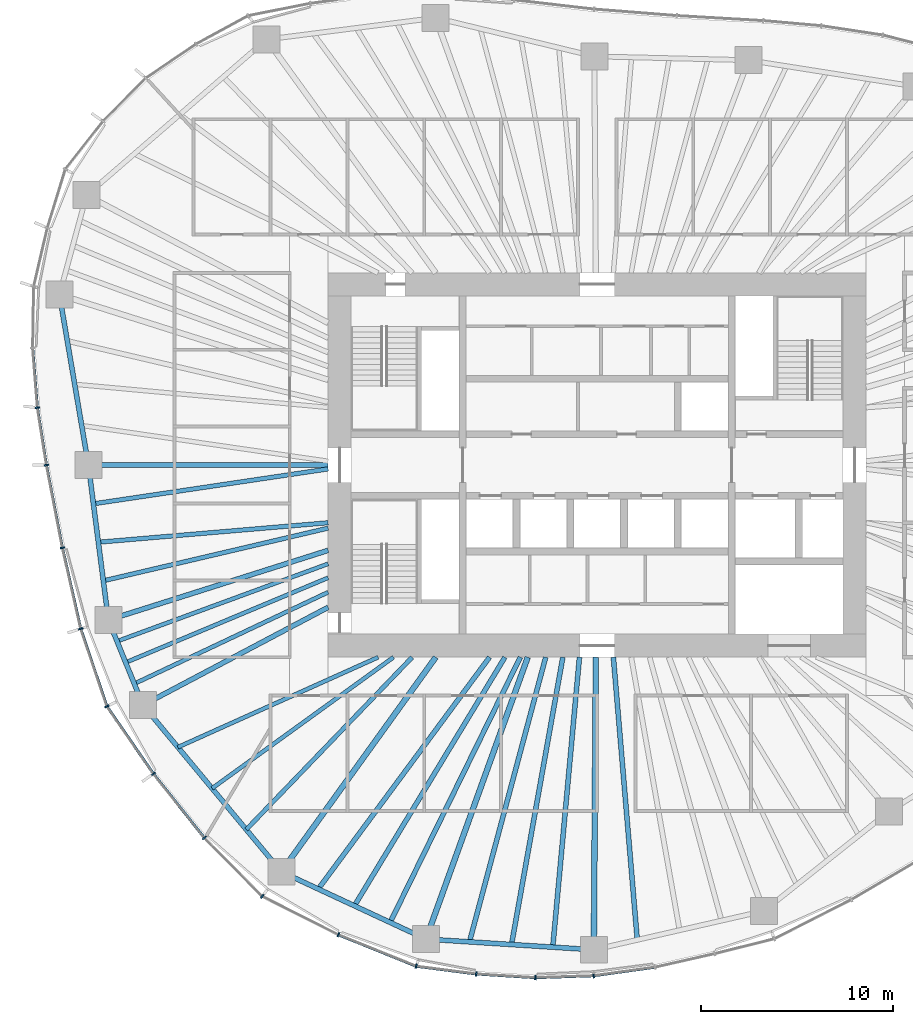
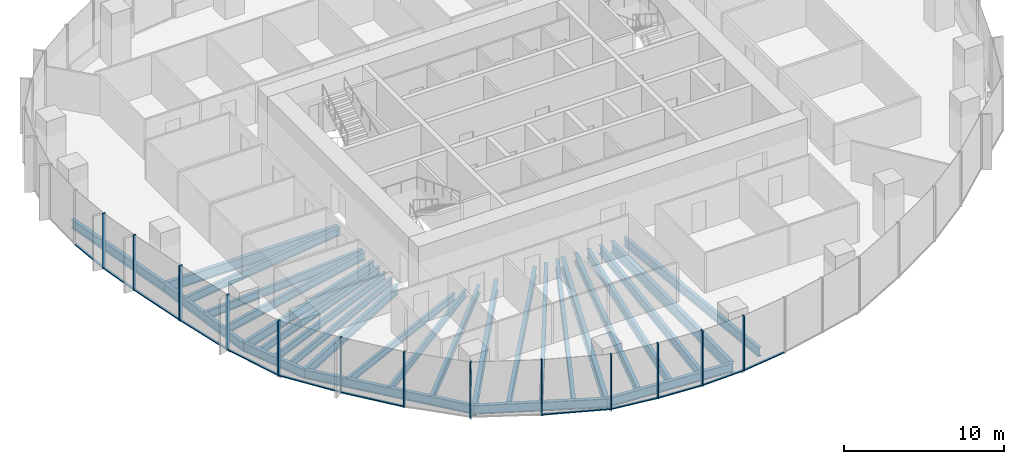
# One storey, part 2 of 18: 28 beams, 25 members, 7 elements without a shape of their own.
"""IFC4 building model written with IfcOpenShell, lengths in metres."""

from ifc_helpers import new_model, si_unit, direction, frame, origin, origin_2d, place, context, subcontext, project, spatial, rectangle, i_section, extrude, material, material_profile, profile_set, type_object, element, aggregate, save


model = new_model("IFC4")

# Units and contexts
model_context = context("Model", 3, precision=1e-05, world=origin(), true_north=direction((0.0, 1.0)))
body_context = subcontext(model_context, "Body", "Model", "MODEL_VIEW")
ifc_project = project(units=[si_unit("LENGTHUNIT", "METRE"), si_unit("AREAUNIT", "SQUARE_METRE"), si_unit("VOLUMEUNIT", "CUBIC_METRE"), si_unit("PLANEANGLEUNIT", "RADIAN"), si_unit("MASSUNIT", "GRAM", prefix="KILO")], contexts=[model_context])

# Site, building, storey
site_placement = place(None, origin())
site = spatial("IfcSite", under=ifc_project, at=site_placement, CompositionType="ELEMENT")
building_placement = place(site_placement, origin())
building = spatial("IfcBuilding", under=site, at=building_placement, Name="Ghaith Harvest Tower", CompositionType="ELEMENT")
storey_placement = place(building_placement, frame((0.0, 0.0, 172.199951171875)))
storey = spatial("IfcBuildingStorey", under=building, at=storey_placement, Name="L37", CompositionType="ELEMENT", Elevation=172.199951171875)

# Curtain wall, member
ifc_material_1 = material(Name="Black anodised aluminium and fritted glass", Category="aluminium")
curtain_wall_type = type_object("IfcCurtainWallType", Name="CW-L CURTAIN WALL", PredefinedType="NOTDEFINED", material=ifc_material_1)
curtain_wall_1_placement = place(storey_placement, origin())
curtain_wall_1 = element("IfcCurtainWall", 1, at=curtain_wall_1_placement, inside=storey, type_object=curtain_wall_type, Name="Curtain wall CW-L bay 10 L37", PredefinedType="NOTDEFINED")
ifc_material_2 = material(Name="Aluminium, black anodised", Category="aluminium")
ifc_material_profile_1 = material_profile(ifc_material_2, rectangle(XDim=0.080078125, YDim=0.239990234375, at=origin_2d()), Name="CW-L MULLION 80x240")
ifc_profile_set_1 = profile_set([ifc_material_profile_1], Name="Aluminium, black anodised")
member_type_1 = type_object("IfcMemberType", Name="CW-L MULLION 80x240", PredefinedType="MULLION", material=ifc_profile_set_1)
member_1_placement = place(storey_placement, frame((-29.131103515625, 2.990478515625, 0.0), z_axis=(0.0, 0.0, 1.0), x_axis=(0.116763791346, -0.993159713757, 0.0)))
member_1 = element("IfcMember", 2, at=member_1_placement, type_object=member_type_1, Name="CW-L mullion 3 bay 10 L37", PredefinedType="MULLION", context=body_context, shape_type="SweptSolid", body=[
    extrude(rectangle(XDim=0.080078125, YDim=0.239990234375, at=origin_2d()), origin(), (0.0, 0.0, 1.0), 4.199951171875),
])

# Curtain wall, members
curtain_wall_2_placement = place(storey_placement, origin())
curtain_wall_2 = element("IfcCurtainWall", 3, at=curtain_wall_2_placement, inside=storey, type_object=curtain_wall_type, Name="Curtain wall CW-L bay 11 L37", PredefinedType="NOTDEFINED")
member_2_placement = place(storey_placement, frame((-28.6611328125, 0.0, 0.0), z_axis=(0.0, 0.0, 1.0), x_axis=(0.175827209372, -0.984421044292, 0.0)))
member_2 = element("IfcMember", 4, at=member_2_placement, type_object=member_type_1, Name="CW-L mullion 1 bay 11 L37", PredefinedType="MULLION", context=body_context, shape_type="SweptSolid", body=[
    extrude(rectangle(XDim=0.080078125, YDim=0.239990234375, at=origin_2d()), origin(), (0.0, 0.0, 1.0), 4.199951171875),
])
member_3_placement = place(storey_placement, frame((-27.828125, -4.30419921875, 0.0), z_axis=(0.0, 0.0, 1.0), x_axis=(0.205176300018, -0.978725030798, 0.0)))
member_3 = element("IfcMember", 5, at=member_3_placement, type_object=member_type_1, Name="CW-L mullion 2 bay 11 L37", PredefinedType="MULLION", context=body_context, shape_type="SweptSolid", body=[
    extrude(rectangle(XDim=0.080078125, YDim=0.239990234375, at=origin_2d()), origin(), (0.0, 0.0, 1.0), 4.199951171875),
])

curtain_wall_3_placement = place(storey_placement, origin())
curtain_wall_3 = element("IfcCurtainWall", 6, at=curtain_wall_3_placement, inside=storey, type_object=curtain_wall_type, Name="Curtain wall CW-L bay 12 L37", PredefinedType="NOTDEFINED")
member_4_placement = place(storey_placement, frame((-26.875732421875, -8.517333984375, 0.0), z_axis=(0.0, 0.0, 1.0), x_axis=(0.270018818005, -0.962855045125, 0.0)))
member_4 = element("IfcMember", 7, at=member_4_placement, type_object=member_type_1, Name="CW-L mullion 1 bay 12 L37", PredefinedType="MULLION", context=body_context, shape_type="SweptSolid", body=[
    extrude(rectangle(XDim=0.080078125, YDim=0.239990234375, at=origin_2d()), origin(), (0.0, 0.0, 1.0), 4.199951171875),
])
member_5_placement = place(storey_placement, frame((-25.513427734375, -12.55810546875, 0.0), z_axis=(0.0, 0.0, 1.0), x_axis=(0.448267068681, -0.893899678452, 0.0)))
member_5 = element("IfcMember", 8, at=member_5_placement, type_object=member_type_1, Name="CW-L mullion 2 bay 12 L37", PredefinedType="MULLION", context=body_context, shape_type="SweptSolid", body=[
    extrude(rectangle(XDim=0.080078125, YDim=0.239990234375, at=origin_2d()), origin(), (0.0, 0.0, 1.0), 4.199951171875),
])

curtain_wall_4_placement = place(storey_placement, origin())
curtain_wall_4 = element("IfcCurtainWall", 9, at=curtain_wall_4_placement, inside=storey, type_object=curtain_wall_type, Name="Curtain wall CW-L bay 13 L37", PredefinedType="NOTDEFINED")
member_6_placement = place(storey_placement, frame((-23.090087890625, -16.066162109375, 0.0), z_axis=(0.0, 0.0, 1.0), x_axis=(0.595740202191, -0.803177198066, 0.0)))
member_6 = element("IfcMember", 10, at=member_6_placement, type_object=member_type_1, Name="CW-L mullion 1 bay 13 L37", PredefinedType="MULLION", context=body_context, shape_type="SweptSolid", body=[
    extrude(rectangle(XDim=0.080078125, YDim=0.239990234375, at=origin_2d()), origin(), (0.0, 0.0, 1.0), 4.199951171875),
])
member_7_placement = place(storey_placement, frame((-20.441162109375, -19.396728515625, 0.0), z_axis=(0.0, 0.0, 1.0), x_axis=(0.663764675537, -0.747941478666, 0.0)))
member_7 = element("IfcMember", 11, at=member_7_placement, type_object=member_type_1, Name="CW-L mullion 2 bay 13 L37", PredefinedType="MULLION", context=body_context, shape_type="SweptSolid", body=[
    extrude(rectangle(XDim=0.080078125, YDim=0.239990234375, at=origin_2d()), origin(), (0.0, 0.0, 1.0), 4.199951171875),
])

curtain_wall_5_placement = place(storey_placement, origin())
curtain_wall_5 = element("IfcCurtainWall", 12, at=curtain_wall_5_placement, inside=storey, type_object=curtain_wall_type, Name="Curtain wall CW-L bay 14 L37", PredefinedType="NOTDEFINED")
member_8_placement = place(storey_placement, frame((-17.430419921875, -22.443603515625, 0.0), z_axis=(0.0, 0.0, 1.0), x_axis=(0.810339399222, -0.585960799089, 0.0)))
member_8 = element("IfcMember", 13, at=member_8_placement, type_object=member_type_1, Name="CW-L mullion 1 bay 14 L37", PredefinedType="MULLION", context=body_context, shape_type="SweptSolid", body=[
    extrude(rectangle(XDim=0.080078125, YDim=0.239990234375, at=origin_2d()), origin(), (0.0, 0.0, 1.0), 4.199951171875),
])
member_9_placement = place(storey_placement, frame((-13.463134765625, -24.4423828125, 0.0), z_axis=(0.0, 0.0, 1.0), x_axis=(0.910648017946, -0.413182995066, 0.0)))
member_9 = element("IfcMember", 14, at=member_9_placement, type_object=member_type_1, Name="CW-L mullion 2 bay 14 L37", PredefinedType="MULLION", context=body_context, shape_type="SweptSolid", body=[
    extrude(rectangle(XDim=0.080078125, YDim=0.239990234375, at=origin_2d()), origin(), (0.0, 0.0, 1.0), 4.199951171875),
])

curtain_wall_6_placement = place(storey_placement, origin())
curtain_wall_6 = element("IfcCurtainWall", 15, at=curtain_wall_6_placement, inside=storey, type_object=curtain_wall_type, Name="Curtain wall CW-L bay 15 L37", PredefinedType="NOTDEFINED")
member_10_placement = place(storey_placement, frame((-9.4189453125, -26.07861328125, 0.0), z_axis=(0.0, 0.0, 1.0), x_axis=(0.961788606004, -0.273793128768, 0.0)))
member_10 = element("IfcMember", 16, at=member_10_placement, type_object=member_type_1, Name="CW-L mullion 1 bay 15 L37", PredefinedType="MULLION", context=body_context, shape_type="SweptSolid", body=[
    extrude(rectangle(XDim=0.080078125, YDim=0.239990234375, at=origin_2d()), origin(), (0.0, 0.0, 1.0), 4.199951171875),
])
member_11_placement = place(storey_placement, frame((-6.29443359375, -26.483154296875, 0.0), z_axis=(0.0, 0.0, 1.0), x_axis=(0.995389243171, -0.095917957546, 0.0)))
member_11 = element("IfcMember", 17, at=member_11_placement, type_object=member_type_1, Name="CW-L mullion 2 bay 15 L37", PredefinedType="MULLION", context=body_context, shape_type="SweptSolid", body=[
    extrude(rectangle(XDim=0.080078125, YDim=0.239990234375, at=origin_2d()), origin(), (0.0, 0.0, 1.0), 4.199951171875),
])
member_12_placement = place(storey_placement, frame((-3.21923828125, -26.676025390625, 0.0), z_axis=(0.0, 0.0, 1.0), x_axis=(0.999890531495, -0.014796115241, 0.0)))
member_12 = element("IfcMember", 18, at=member_12_placement, type_object=member_type_1, Name="CW-L mullion 3 bay 15 L37", PredefinedType="MULLION", context=body_context, shape_type="SweptSolid", body=[
    extrude(rectangle(XDim=0.080078125, YDim=0.239990234375, at=origin_2d()), origin(), (0.0, 0.0, 1.0), 4.199951171875),
])

# Curtain wall, member
curtain_wall_7_placement = place(storey_placement, origin())
curtain_wall_7 = element("IfcCurtainWall", 19, at=curtain_wall_7_placement, inside=storey, type_object=curtain_wall_type, Name="Curtain wall CW-L bay 16 L37", PredefinedType="NOTDEFINED")
member_13_placement = place(storey_placement, frame((-0.181884765625, -26.57373046875, 0.0), z_axis=(0.0, 0.0, 1.0), x_axis=(0.996169227662, 0.087446382772, 0.0)))
member_13 = element("IfcMember", 20, at=member_13_placement, type_object=member_type_1, Name="CW-L mullion 1 bay 16 L37", PredefinedType="MULLION", context=body_context, shape_type="SweptSolid", body=[
    extrude(rectangle(XDim=0.080078125, YDim=0.239990234375, at=origin_2d()), origin(), (0.0, 0.0, 1.0), 4.199951171875),
])

# Member
ifc_material_3 = material(Name="Aluminium, black anodised", Category="aluminium")
ifc_material_profile_2 = material_profile(ifc_material_3, rectangle(XDim=0.14990234375, YDim=0.080078125, at=origin_2d()), Name="CW-L TRANSOM 150x80")
ifc_profile_set_2 = profile_set([ifc_material_profile_2], Name="Aluminium, black anodised")
member_type_2 = type_object("IfcMemberType", Name="CW-L TRANSOM 150x80", PredefinedType="USERDEFINED", material=ifc_profile_set_2)
member_14_placement = place(storey_placement, frame((-29.374755859375, 6.05615234375, 0.0400390625), z_axis=(0.079230491279, -0.996856323274, 0.0), x_axis=(0.996856323274, 0.079230491279, 0.0)))
member_14 = element("IfcMember", 21, at=member_14_placement, type_object=member_type_2, Name="CW-L transom 2 bay 10 L37", ObjectType="TRANSOM", PredefinedType="USERDEFINED", context=body_context, shape_type="SweptSolid", body=[
    extrude(rectangle(XDim=0.14990234375, YDim=0.080078125, at=origin_2d()), origin(), (0.0, 0.0, 1.0), 3.03515625),
])

member_15_placement = place(storey_placement, frame((-29.124755859375, 2.951171875, 0.0400390625), z_axis=(0.155150065502, -0.987890913601, 0.0), x_axis=(0.987890913601, 0.155150065502, 0.0)))
member_15 = element("IfcMember", 22, at=member_15_placement, type_object=member_type_2, Name="CW-L transom 3 bay 10 L37", ObjectType="TRANSOM", PredefinedType="USERDEFINED", context=body_context, shape_type="SweptSolid", body=[
    extrude(rectangle(XDim=0.14990234375, YDim=0.080078125, at=origin_2d()), origin(), (0.0, 0.0, 1.0), 2.947265625),
])

aggregate(curtain_wall_1, [member_14, member_1, member_15])

member_16_placement = place(storey_placement, frame((-28.653564453125, -0.039306640625, 0.0400390625), z_axis=(0.190025434036, -0.981779167848, 0.0), x_axis=(0.981779167848, 0.190025434036, 0.0)))
member_16 = element("IfcMember", 23, at=member_16_placement, type_object=member_type_2, Name="CW-L transom 1 bay 11 L37", ObjectType="TRANSOM", PredefinedType="USERDEFINED", context=body_context, shape_type="SweptSolid", body=[
    extrude(rectangle(XDim=0.14990234375, YDim=0.080078125, at=origin_2d()), origin(), (0.0, 0.0, 1.0), 4.303955078125),
])

member_17_placement = place(storey_placement, frame((-27.8193359375, -4.34326171875, 0.0400390625), z_axis=(0.220508326041, -0.975385092231, 0.0), x_axis=(0.975385092231, 0.220508326041, 0.0)))
member_17 = element("IfcMember", 24, at=member_17_placement, type_object=member_type_2, Name="CW-L transom 2 bay 11 L37", ObjectType="TRANSOM", PredefinedType="USERDEFINED", context=body_context, shape_type="SweptSolid", body=[
    extrude(rectangle(XDim=0.14990234375, YDim=0.080078125, at=origin_2d()), origin(), (0.0, 0.0, 1.0), 4.2392578125),
])

aggregate(curtain_wall_2, [member_2, member_16, member_3, member_17])

member_18_placement = place(storey_placement, frame((-26.863037109375, -8.55517578125, 0.0400390625), z_axis=(0.319499057133, -0.947586593664, 0.0), x_axis=(0.947586593664, 0.319499057133, 0.0)))
member_18 = element("IfcMember", 25, at=member_18_placement, type_object=member_type_2, Name="CW-L transom 1 bay 12 L37", ObjectType="TRANSOM", PredefinedType="USERDEFINED", context=body_context, shape_type="SweptSolid", body=[
    extrude(rectangle(XDim=0.14990234375, YDim=0.080078125, at=origin_2d()), origin(), (0.0, 0.0, 1.0), 4.184326171875),
])

member_19_placement = place(storey_placement, frame((-25.49072265625, -12.591064453125, 0.0400390625), z_axis=(0.568360052499, -0.822779952796, 0.0), x_axis=(0.822779952796, 0.568360052499, 0.0)))
member_19 = element("IfcMember", 26, at=member_19_placement, type_object=member_type_2, Name="CW-L transom 2 bay 12 L37", ObjectType="TRANSOM", PredefinedType="USERDEFINED", context=body_context, shape_type="SweptSolid", body=[
    extrude(rectangle(XDim=0.14990234375, YDim=0.080078125, at=origin_2d()), origin(), (0.0, 0.0, 1.0), 4.183837890625),
])

aggregate(curtain_wall_3, [member_4, member_18, member_5, member_19])

member_20_placement = place(storey_placement, frame((-23.065185546875, -16.09765625, 0.0400390625), z_axis=(0.622510542814, -0.782611413209, 0.0), x_axis=(0.782611413209, 0.622510542814, 0.0)))
member_20 = element("IfcMember", 27, at=member_20_placement, type_object=member_type_2, Name="CW-L transom 1 bay 13 L37", ObjectType="TRANSOM", PredefinedType="USERDEFINED", context=body_context, shape_type="SweptSolid", body=[
    extrude(rectangle(XDim=0.14990234375, YDim=0.080078125, at=origin_2d()), origin(), (0.0, 0.0, 1.0), 4.17529296875),
])

aggregate(curtain_wall_4, [member_6, member_20, member_7])

member_21_placement = place(storey_placement, frame((-13.426025390625, -24.45751953125, 0.0400390625), z_axis=(0.92700297754, -0.375053968959, 0.0), x_axis=(0.375053968959, 0.92700297754, 0.0)))
member_21 = element("IfcMember", 28, at=member_21_placement, type_object=member_type_2, Name="CW-L transom 2 bay 14 L37", ObjectType="TRANSOM", PredefinedType="USERDEFINED", context=body_context, shape_type="SweptSolid", body=[
    extrude(rectangle(XDim=0.14990234375, YDim=0.080078125, at=origin_2d()), origin(), (0.0, 0.0, 1.0), 4.282470703125),
])

aggregate(curtain_wall_5, [member_8, member_9, member_21])

member_22_placement = place(storey_placement, frame((-9.37939453125, -26.083740234375, 0.0400390625), z_axis=(0.991722765635, -0.128397648429, 0.0), x_axis=(0.128397648429, 0.991722765635, 0.0)))
member_22 = element("IfcMember", 29, at=member_22_placement, type_object=member_type_2, Name="CW-L transom 1 bay 15 L37", ObjectType="TRANSOM", PredefinedType="USERDEFINED", context=body_context, shape_type="SweptSolid", body=[
    extrude(rectangle(XDim=0.14990234375, YDim=0.080078125, at=origin_2d()), origin(), (0.0, 0.0, 1.0), 3.07080078125),
])

member_23_placement = place(storey_placement, frame((-6.25439453125, -26.485595703125, 0.0400390625), z_axis=(0.998036402434, -0.062636566132, 0.0), x_axis=(0.062636566132, 0.998036402434, 0.0)))
member_23 = element("IfcMember", 30, at=member_23_placement, type_object=member_type_2, Name="CW-L transom 2 bay 15 L37", ObjectType="TRANSOM", PredefinedType="USERDEFINED", context=body_context, shape_type="SweptSolid", body=[
    extrude(rectangle(XDim=0.14990234375, YDim=0.080078125, at=origin_2d()), origin(), (0.0, 0.0, 1.0), 3.001220703125),
])

member_24_placement = place(storey_placement, frame((-3.17919921875, -26.6748046875, 0.0400390625), z_axis=(0.999430436664, 0.033746144522, 0.0), x_axis=(-0.033746144522, 0.999430436664, 0.0)))
member_24 = element("IfcMember", 31, at=member_24_placement, type_object=member_type_2, Name="CW-L transom 3 bay 15 L37", ObjectType="TRANSOM", PredefinedType="USERDEFINED", context=body_context, shape_type="SweptSolid", body=[
    extrude(rectangle(XDim=0.14990234375, YDim=0.080078125, at=origin_2d()), origin(), (0.0, 0.0, 1.0), 2.958984375),
])

aggregate(curtain_wall_6, [member_10, member_22, member_11, member_23, member_12, member_24])

member_25_placement = place(storey_placement, frame((-0.142333984375, -26.568115234375, 0.0400390625), z_axis=(0.990446640965, 0.137896524254, 0.0), x_axis=(-0.137896524254, 0.990446640965, 0.0)))
member_25 = element("IfcMember", 32, at=member_25_placement, type_object=member_type_2, Name="CW-L transom 1 bay 16 L37", ObjectType="TRANSOM", PredefinedType="USERDEFINED", context=body_context, shape_type="SweptSolid", body=[
    extrude(rectangle(XDim=0.14990234375, YDim=0.080078125, at=origin_2d()), origin(), (0.0, 0.0, 1.0), 3.142578125),
])

aggregate(curtain_wall_7, [member_13, member_25])

# Beams
ifc_material_4 = material(Name="Steel ASTM A992 Grade 50", Category="steel")
ifc_material_profile_3 = material_profile(ifc_material_4, i_section(OverallWidth=0.25390625, OverallDepth=0.68408203125, WebThickness=0.012451171875, FlangeThickness=0.018798828125, at=origin_2d()), Name="W690X140")
ifc_profile_set_3 = profile_set([ifc_material_profile_3], Name="Steel ASTM A992 Grade 50")
beam_type_1 = type_object("IfcBeamType", Name="E690-140 W690X140", PredefinedType="SPANDREL", material=ifc_profile_set_3)
beam_1_placement = place(storey_placement, frame((-27.98291015625, 8.867919921875, -0.511962890625), z_axis=(0.167624246844, -0.985850958244, 0.0), x_axis=(0.985850958244, 0.167624246844, 0.0)))
element("IfcBeam", 33, at=beam_1_placement, inside=storey, type_object=beam_type_1, Name="Edge beam E10 L37", PredefinedType="SPANDREL", context=body_context, shape_type="SweptSolid", body=[
    extrude(i_section(OverallWidth=0.25390625, OverallDepth=0.68408203125, WebThickness=0.012451171875, FlangeThickness=0.018798828125, at=origin_2d()), origin(), (0.0, 0.0, 1.0), 8.9951171875),
])
beam_2_placement = place(storey_placement, frame((-26.47509765625, 0.0, -0.511962890625), z_axis=(0.127841715048, -0.991794583517, 0.0), x_axis=(0.991794583517, 0.127841715048, 0.0)))
element("IfcBeam", 34, at=beam_2_placement, inside=storey, type_object=beam_type_1, Name="Edge beam E11 L37", PredefinedType="SPANDREL", context=body_context, shape_type="SweptSolid", body=[
    extrude(i_section(OverallWidth=0.25390625, OverallDepth=0.68408203125, WebThickness=0.012451171875, FlangeThickness=0.018798828125, at=origin_2d()), origin(), (0.0, 0.0, 1.0), 8.127685546875),
])
beam_3_placement = place(storey_placement, frame((-25.43603515625, -8.06103515625, -0.511962890625), z_axis=(0.376479712052, -0.9264248628, 0.0), x_axis=(0.9264248628, 0.376479712052, 0.0)))
element("IfcBeam", 35, at=beam_3_placement, inside=storey, type_object=beam_type_1, Name="Edge beam E12 L37", PredefinedType="SPANDREL", context=body_context, shape_type="SweptSolid", body=[
    extrude(i_section(OverallWidth=0.25390625, OverallDepth=0.68408203125, WebThickness=0.012451171875, FlangeThickness=0.018798828125, at=origin_2d()), origin(), (0.0, 0.0, 1.0), 4.783935546875),
])
beam_4_placement = place(storey_placement, frame((-23.635009765625, -12.492919921875, -0.511962890625), z_axis=(0.638719320052, -0.769439815835, 0.0), x_axis=(0.769439815835, 0.638719320052, 0.0)))
element("IfcBeam", 36, at=beam_4_placement, inside=storey, type_object=beam_type_1, Name="Edge beam E13 L37", PredefinedType="SPANDREL", context=body_context, shape_type="SweptSolid", body=[
    extrude(i_section(OverallWidth=0.25390625, OverallDepth=0.68408203125, WebThickness=0.012451171875, FlangeThickness=0.018798828125, at=origin_2d()), origin(), (0.0, 0.0, 1.0), 11.26953125),
])
beam_5_placement = place(storey_placement, frame((-16.43701171875, -21.1640625, -0.511962890625), z_axis=(0.906607079462, -0.421975832802, 0.0), x_axis=(0.421975832802, 0.906607079462, 0.0)))
element("IfcBeam", 37, at=beam_5_placement, inside=storey, type_object=beam_type_1, Name="Edge beam E14 L37", PredefinedType="SPANDREL", context=body_context, shape_type="SweptSolid", body=[
    extrude(i_section(OverallWidth=0.25390625, OverallDepth=0.68408203125, WebThickness=0.012451171875, FlangeThickness=0.018798828125, at=origin_2d()), origin(), (0.0, 0.0, 1.0), 8.303466796875),
])
beam_6_placement = place(storey_placement, frame((-8.908935546875, -24.66796875, -0.511962890625), z_axis=(0.99797963184, -0.063534671101, 0.0), x_axis=(0.063534671101, 0.99797963184, 0.0)))
element("IfcBeam", 38, at=beam_6_placement, inside=storey, type_object=beam_type_1, Name="Edge beam E15 L37", PredefinedType="SPANDREL", context=body_context, shape_type="SweptSolid", body=[
    extrude(i_section(OverallWidth=0.25390625, OverallDepth=0.68408203125, WebThickness=0.012451171875, FlangeThickness=0.018798828125, at=origin_2d()), origin(), (0.0, 0.0, 1.0), 8.75341796875),
])
ifc_material_5 = material(Name="Steel ASTM A992 Grade 50", Category="steel")
ifc_material_profile_4 = material_profile(ifc_material_5, i_section(OverallWidth=0.256103515625, OverallDepth=0.693115234375, WebThickness=0.014404296875, FlangeThickness=0.023681640625, at=origin_2d()), Name="W690X170")
ifc_profile_set_4 = profile_set([ifc_material_profile_4], Name="Steel ASTM A992 Grade 50")
beam_type_2 = type_object("IfcBeamType", Name="G690-170 W690X170", PredefinedType="BEAM", material=ifc_profile_set_4)
beam_7_placement = place(storey_placement, frame((-14.0, -4.43701171875, -0.516357421875), z_axis=(-0.953279533519, -0.302089607522, 0.0), x_axis=(0.302089607522, -0.953279533519, 0.0)))
element("IfcBeam", 39, at=beam_7_placement, inside=storey, type_object=beam_type_2, Name="Radial girder G12 L37", PredefinedType="BEAM", context=body_context, shape_type="SweptSolid", body=[
    extrude(i_section(OverallWidth=0.256103515625, OverallDepth=0.693115234375, WebThickness=0.014404296875, FlangeThickness=0.023681640625, at=origin_2d()), origin(), (0.0, 0.0, 1.0), 11.99658203125),
])
beam_8_placement = place(storey_placement, frame((-14.0, -7.39990234375, -0.516357421875), z_axis=(-0.884086346066, -0.467323584576, 0.0), x_axis=(0.467323584576, -0.884086346066, 0.0)))
element("IfcBeam", 40, at=beam_8_placement, inside=storey, type_object=beam_type_2, Name="Radial girder G13 L37", PredefinedType="BEAM", context=body_context, shape_type="SweptSolid", body=[
    extrude(i_section(OverallWidth=0.256103515625, OverallDepth=0.693115234375, WebThickness=0.014404296875, FlangeThickness=0.023681640625, at=origin_2d()), origin(), (0.0, 0.0, 1.0), 10.898193359375),
])
ifc_material_6 = material(Name="Steel ASTM A992 Grade 50", Category="steel")
ifc_material_profile_5 = material_profile(ifc_material_6, i_section(OverallWidth=0.26806640625, OverallDepth=0.77001953125, WebThickness=0.015625, FlangeThickness=0.025390625, at=origin_2d()), Name="W760X196")
ifc_profile_set_5 = profile_set([ifc_material_profile_5], Name="Steel ASTM A992 Grade 50")
beam_type_3 = type_object("IfcBeamType", Name="G760-196 W760X196", PredefinedType="BEAM", material=ifc_profile_set_5)
beam_9_placement = place(storey_placement, frame((-14.0, 0.0, -0.554931640625), z_axis=(-1.0, 0.0, 0.0), x_axis=(0.0, -1.0, 0.0)))
element("IfcBeam", 41, at=beam_9_placement, inside=storey, type_object=beam_type_3, Name="Radial girder G11 L37", PredefinedType="BEAM", context=body_context, shape_type="SweptSolid", body=[
    extrude(i_section(OverallWidth=0.26806640625, OverallDepth=0.77001953125, WebThickness=0.015625, FlangeThickness=0.025390625, at=origin_2d()), origin(), (0.0, 0.0, 1.0), 12.47509765625),
])
ifc_material_7 = material(Name="Steel ASTM A992 Grade 50", Category="steel")
ifc_material_profile_6 = material_profile(ifc_material_7, i_section(OverallWidth=0.2939453125, OverallDepth=0.85107421875, WebThickness=0.01611328125, FlangeThickness=0.02685546875, at=origin_2d()), Name="W840X226")
ifc_profile_set_6 = profile_set([ifc_material_profile_6], Name="Steel ASTM A992 Grade 50")
beam_type_4 = type_object("IfcBeamType", Name="G840-226 W840X226", PredefinedType="BEAM", material=ifc_profile_set_6)
beam_10_placement = place(storey_placement, frame((-8.39990234375, -10.0, -0.595458984375), z_axis=(-0.584256100809, -0.811569349265, 0.0), x_axis=(0.811569349265, -0.584256100809, 0.0)))
element("IfcBeam", 42, at=beam_10_placement, inside=storey, type_object=beam_type_4, Name="Radial girder G14 L37", PredefinedType="BEAM", context=body_context, shape_type="SweptSolid", body=[
    extrude(i_section(OverallWidth=0.2939453125, OverallDepth=0.85107421875, WebThickness=0.01611328125, FlangeThickness=0.02685546875, at=origin_2d()), origin(), (0.0, 0.0, 1.0), 13.756103515625),
])
beam_11_placement = place(storey_placement, frame((-3.61181640625, -10.0, -0.595458984375), z_axis=(-0.339664467784, -0.940546675782, 0.0), x_axis=(0.940546675782, -0.339664467784, 0.0)))
element("IfcBeam", 43, at=beam_11_placement, inside=storey, type_object=beam_type_4, Name="Radial girder G15 L37", PredefinedType="BEAM", context=body_context, shape_type="SweptSolid", body=[
    extrude(i_section(OverallWidth=0.2939453125, OverallDepth=0.85107421875, WebThickness=0.01611328125, FlangeThickness=0.02685546875, at=origin_2d()), origin(), (0.0, 0.0, 1.0), 15.59521484375),
])
beam_12_placement = place(storey_placement, frame((-0.068359375, -10.0, -0.595458984375), z_axis=(-0.006879467722, -0.999976336182, 0.0), x_axis=(0.999976336182, -0.006879467722, 0.0)))
element("IfcBeam", 44, at=beam_12_placement, inside=storey, type_object=beam_type_4, Name="Radial girder G16 L37", PredefinedType="BEAM", context=body_context, shape_type="SweptSolid", body=[
    extrude(i_section(OverallWidth=0.2939453125, OverallDepth=0.85107421875, WebThickness=0.01611328125, FlangeThickness=0.02685546875, at=origin_2d()), origin(), (0.0, 0.0, 1.0), 15.224365234375),
])
ifc_material_8 = material(Name="Steel ASTM A992 Grade 50", Category="steel")
ifc_material_profile_7 = material_profile(ifc_material_8, i_section(OverallWidth=0.2109375, OverallDepth=0.5390625, WebThickness=0.01171875, FlangeThickness=0.018798828125, at=origin_2d()), Name="W530X109")
ifc_profile_set_7 = profile_set([ifc_material_profile_7], Name="Steel ASTM A992 Grade 50")
beam_type_5 = type_object("IfcBeamType", Name="J530-109 W530X109", PredefinedType="JOIST", material=ifc_profile_set_7)
beam_13_placement = place(storey_placement, frame((-14.0, -5.137939453125, -0.439453125), z_axis=(-0.938774452531, -0.344532331247, 0.0), x_axis=(0.344532331247, -0.938774452531, 0.0)))
element("IfcBeam", 45, at=beam_13_placement, inside=storey, type_object=beam_type_5, Name="Joist J12.1 L37", PredefinedType="JOIST", context=body_context, shape_type="SweptSolid", body=[
    extrude(i_section(OverallWidth=0.2109375, OverallDepth=0.5390625, WebThickness=0.01171875, FlangeThickness=0.018798828125, at=origin_2d()), origin(), (0.0, 0.0, 1.0), 11.7021484375),
])
beam_14_placement = place(storey_placement, frame((-14.0, -5.862548828125, -0.439453125), z_axis=(-0.922385564947, -0.386270461693, 0.0), x_axis=(0.386270461693, -0.922385564947, 0.0)))
element("IfcBeam", 46, at=beam_14_placement, inside=storey, type_object=beam_type_5, Name="Joist J12.2 L37", PredefinedType="JOIST", context=body_context, shape_type="SweptSolid", body=[
    extrude(i_section(OverallWidth=0.2109375, OverallDepth=0.5390625, WebThickness=0.01171875, FlangeThickness=0.018798828125, at=origin_2d()), origin(), (0.0, 0.0, 1.0), 11.4228515625),
])
beam_15_placement = place(storey_placement, frame((-14.0, -6.614990234375, -0.439453125), z_axis=(-0.904150042111, -0.427215052815, 0.0), x_axis=(0.427215052815, -0.904150042111, 0.0)))
element("IfcBeam", 47, at=beam_15_placement, inside=storey, type_object=beam_type_5, Name="Joist J12.3 L37", PredefinedType="JOIST", context=body_context, shape_type="SweptSolid", body=[
    extrude(i_section(OverallWidth=0.2109375, OverallDepth=0.5390625, WebThickness=0.01171875, FlangeThickness=0.018798828125, at=origin_2d()), origin(), (0.0, 0.0, 1.0), 11.15625),
])
beam_16_placement = place(storey_placement, frame((-11.39990234375, -10.0, -0.439453125), z_axis=(-0.912147734774, -0.409861574127, 0.0), x_axis=(0.409861574127, -0.912147734774, 0.0)))
element("IfcBeam", 48, at=beam_16_placement, inside=storey, type_object=beam_type_5, Name="Joist J13.1 L37", PredefinedType="JOIST", context=body_context, shape_type="SweptSolid", body=[
    extrude(i_section(OverallWidth=0.2109375, OverallDepth=0.5390625, WebThickness=0.01171875, FlangeThickness=0.018798828125, at=origin_2d()), origin(), (0.0, 0.0, 1.0), 11.421875),
])
beam_17_placement = place(storey_placement, frame((-10.60009765625, -10.0, -0.439453125), z_axis=(-0.810452010932, -0.5858050341, 0.0), x_axis=(0.5858050341, -0.810452010932, 0.0)))
element("IfcBeam", 49, at=beam_17_placement, inside=storey, type_object=beam_type_5, Name="Joist J13.2 L37", PredefinedType="JOIST", context=body_context, shape_type="SweptSolid", body=[
    extrude(i_section(OverallWidth=0.2109375, OverallDepth=0.5390625, WebThickness=0.01171875, FlangeThickness=0.018798828125, at=origin_2d()), origin(), (0.0, 0.0, 1.0), 11.64794921875),
])
ifc_material_9 = material(Name="Steel ASTM A992 Grade 50", Category="steel")
ifc_material_profile_8 = material_profile(ifc_material_9, i_section(OverallWidth=0.22900390625, OverallDepth=0.612060546875, WebThickness=0.011962890625, FlangeThickness=0.01953125, at=origin_2d()), Name="W610X125")
ifc_profile_set_8 = profile_set([ifc_material_profile_8], Name="Steel ASTM A992 Grade 50")
beam_type_6 = type_object("IfcBeamType", Name="J610-125 W610X125", PredefinedType="JOIST", material=ifc_profile_set_8)
beam_18_placement = place(storey_placement, frame((-14.0, -0.199951171875, -0.475830078125), z_axis=(-0.989135422742, -0.147007195321, 0.0), x_axis=(0.147007195321, -0.989135422742, 0.0)))
element("IfcBeam", 50, at=beam_18_placement, inside=storey, type_object=beam_type_6, Name="Joist J11.1 L37", PredefinedType="JOIST", context=body_context, shape_type="SweptSolid", body=[
    extrude(i_section(OverallWidth=0.22900390625, OverallDepth=0.612060546875, WebThickness=0.011962890625, FlangeThickness=0.01953125, at=origin_2d()), origin(), (0.0, 0.0, 1.0), 12.349365234375),
])
beam_19_placement = place(storey_placement, frame((-14.0, -3.0, -0.475830078125), z_axis=(-0.996417474722, -0.0845707755, 0.0), x_axis=(0.0845707755, -0.996417474722, 0.0)))
element("IfcBeam", 51, at=beam_19_placement, inside=storey, type_object=beam_type_6, Name="Joist J11.2 L37", PredefinedType="JOIST", context=body_context, shape_type="SweptSolid", body=[
    extrude(i_section(OverallWidth=0.22900390625, OverallDepth=0.612060546875, WebThickness=0.011962890625, FlangeThickness=0.01953125, at=origin_2d()), origin(), (0.0, 0.0, 1.0), 12.00048828125),
])
beam_20_placement = place(storey_placement, frame((-14.0, -3.280517578125, -0.475830078125), z_axis=(-0.973624350862, -0.228157014813, 0.0), x_axis=(0.228157014813, -0.973624350862, 0.0)))
element("IfcBeam", 52, at=beam_20_placement, inside=storey, type_object=beam_type_6, Name="Joist J11.3 L37", PredefinedType="JOIST", context=body_context, shape_type="SweptSolid", body=[
    extrude(i_section(OverallWidth=0.22900390625, OverallDepth=0.612060546875, WebThickness=0.011962890625, FlangeThickness=0.01953125, at=origin_2d()), origin(), (0.0, 0.0, 1.0), 12.015625),
])
beam_21_placement = place(storey_placement, frame((-9.626708984375, -10.0, -0.475830078125), z_axis=(-0.693534641621, -0.720423278963, 0.0), x_axis=(0.720423278963, -0.693534641621, 0.0)))
element("IfcBeam", 53, at=beam_21_placement, inside=storey, type_object=beam_type_6, Name="Joist J13.3 L37", PredefinedType="JOIST", context=body_context, shape_type="SweptSolid", body=[
    extrude(i_section(OverallWidth=0.22900390625, OverallDepth=0.612060546875, WebThickness=0.011962890625, FlangeThickness=0.01953125, at=origin_2d()), origin(), (0.0, 0.0, 1.0), 12.4482421875),
])
ifc_material_10 = material(Name="Steel ASTM A992 Grade 50", Category="steel")
ifc_material_profile_9 = material_profile(ifc_material_10, i_section(OverallWidth=0.25390625, OverallDepth=0.68408203125, WebThickness=0.012451171875, FlangeThickness=0.018798828125, at=origin_2d()), Name="W690X140")
ifc_profile_set_9 = profile_set([ifc_material_profile_9], Name="Steel ASTM A992 Grade 50")
beam_type_7 = type_object("IfcBeamType", Name="J690-140 W690X140", PredefinedType="JOIST", material=ifc_profile_set_9)
beam_22_placement = place(storey_placement, frame((-5.60009765625, -10.0, -0.511962890625), z_axis=(-0.59434024765, -0.804213696739, 0.0), x_axis=(0.804213696739, -0.59434024765, 0.0)))
element("IfcBeam", 54, at=beam_22_placement, inside=storey, type_object=beam_type_7, Name="Joist J14.1 L37", PredefinedType="JOIST", context=body_context, shape_type="SweptSolid", body=[
    extrude(i_section(OverallWidth=0.25390625, OverallDepth=0.68408203125, WebThickness=0.012451171875, FlangeThickness=0.018798828125, at=origin_2d()), origin(), (0.0, 0.0, 1.0), 14.995849609375),
])
beam_23_placement = place(storey_placement, frame((-4.800048828125, -10.0, -0.511962890625), z_axis=(-0.517986442874, -0.855388826791, 0.0), x_axis=(0.855388826791, -0.517986442874, 0.0)))
element("IfcBeam", 55, at=beam_23_placement, inside=storey, type_object=beam_type_7, Name="Joist J14.2 L37", PredefinedType="JOIST", context=body_context, shape_type="SweptSolid", body=[
    extrude(i_section(OverallWidth=0.25390625, OverallDepth=0.68408203125, WebThickness=0.012451171875, FlangeThickness=0.018798828125, at=origin_2d()), origin(), (0.0, 0.0, 1.0), 15.12158203125),
])
beam_24_placement = place(storey_placement, frame((-4.0, -10.0, -0.511962890625), z_axis=(-0.440562898219, -0.897721745706, 0.0), x_axis=(0.897721745706, -0.440562898219, 0.0)))
element("IfcBeam", 56, at=beam_24_placement, inside=storey, type_object=beam_type_7, Name="Joist J14.3 L37", PredefinedType="JOIST", context=body_context, shape_type="SweptSolid", body=[
    extrude(i_section(OverallWidth=0.25390625, OverallDepth=0.68408203125, WebThickness=0.012451171875, FlangeThickness=0.018798828125, at=origin_2d()), origin(), (0.0, 0.0, 1.0), 15.372802734375),
])
beam_25_placement = place(storey_placement, frame((-2.677978515625, -10.0, -0.511962890625), z_axis=(-0.258693109612, -0.965959561803, 0.0), x_axis=(0.965959561803, -0.258693109612, 0.0)))
element("IfcBeam", 57, at=beam_25_placement, inside=storey, type_object=beam_type_7, Name="Joist J15.1 L37", PredefinedType="JOIST", context=body_context, shape_type="SweptSolid", body=[
    extrude(i_section(OverallWidth=0.25390625, OverallDepth=0.68408203125, WebThickness=0.012451171875, FlangeThickness=0.018798828125, at=origin_2d()), origin(), (0.0, 0.0, 1.0), 15.333984375),
])
beam_26_placement = place(storey_placement, frame((-1.785888671875, -10.0, -0.511962890625), z_axis=(-0.175792307544, -0.984427277461, 0.0), x_axis=(0.984427277461, -0.175792307544, 0.0)))
element("IfcBeam", 58, at=beam_26_placement, inside=storey, type_object=beam_type_7, Name="Joist J15.2 L37", PredefinedType="JOIST", context=body_context, shape_type="SweptSolid", body=[
    extrude(i_section(OverallWidth=0.25390625, OverallDepth=0.68408203125, WebThickness=0.012451171875, FlangeThickness=0.018798828125, at=origin_2d()), origin(), (0.0, 0.0, 1.0), 15.18798828125),
])
beam_27_placement = place(storey_placement, frame((-0.92041015625, -10.0, -0.511962890625), z_axis=(-0.091651457116, -0.995791147987, 0.0), x_axis=(0.995791147987, -0.091651457116, 0.0)))
element("IfcBeam", 59, at=beam_27_placement, inside=storey, type_object=beam_type_7, Name="Joist J15.3 L37", PredefinedType="JOIST", context=body_context, shape_type="SweptSolid", body=[
    extrude(i_section(OverallWidth=0.25390625, OverallDepth=0.68408203125, WebThickness=0.012451171875, FlangeThickness=0.018798828125, at=origin_2d()), origin(), (0.0, 0.0, 1.0), 15.151611328125),
])
beam_28_placement = place(storey_placement, frame((0.844970703125, -10.0, -0.511962890625), z_axis=(0.084208979751, -0.996448115924, 0.0), x_axis=(0.996448115924, 0.084208979751, 0.0)))
element("IfcBeam", 60, at=beam_28_placement, inside=storey, type_object=beam_type_7, Name="Joist J16.1 L37", PredefinedType="JOIST", context=body_context, shape_type="SweptSolid", body=[
    extrude(i_section(OverallWidth=0.25390625, OverallDepth=0.68408203125, WebThickness=0.012451171875, FlangeThickness=0.018798828125, at=origin_2d()), origin(), (0.0, 0.0, 1.0), 14.760009765625),
])

save(model, "model.ifc")
